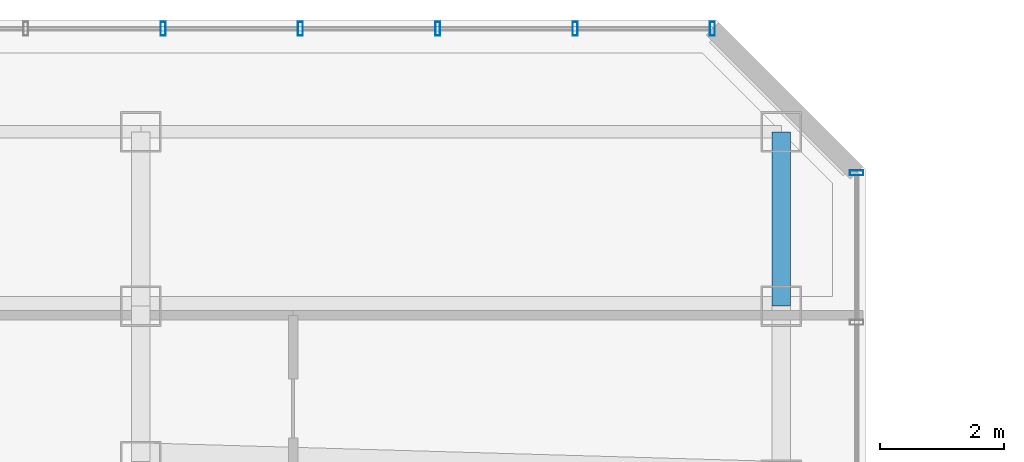
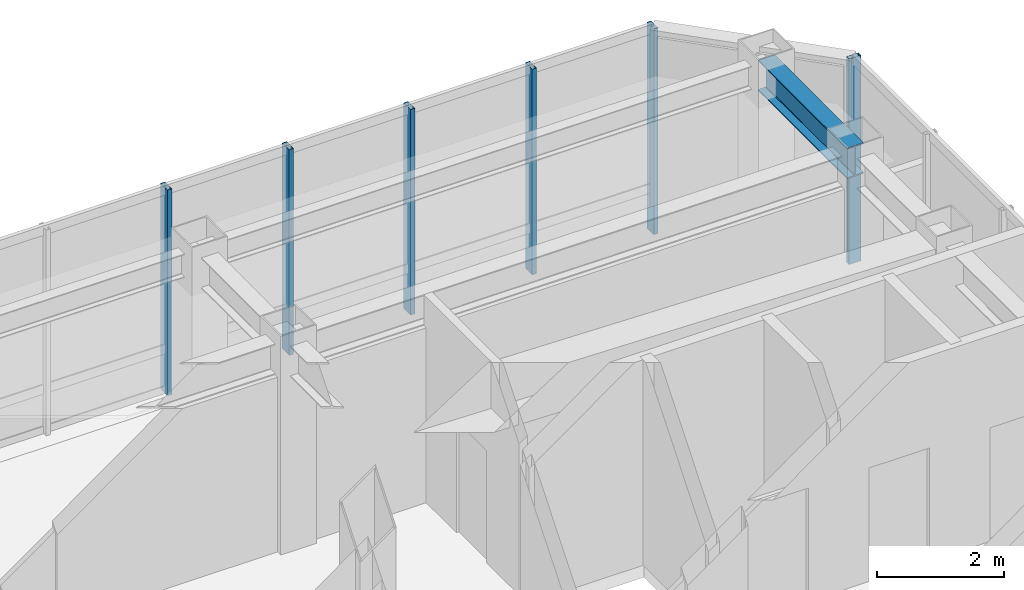
# One storey, part 15 of 22: 6 members, 1 beam, 2 elements without a shape of their own.
"""IFC4 building model written with IfcOpenShell, lengths in metres."""

import ifcopenshell
import ifcopenshell.guid

model = None  # the IFC model being written
_history = None  # IfcOwnerHistory: only IFC2X3 demands one
_inside = {}  # id of a spatial element -> (the spatial element, [elements in it])
_under = {}  # id of a project, library or spatial element -> (it, [spatial elements below it])
_declared = {}  # id of a project -> (the project, [libraries it declares])
_typed = {}  # id of a type object -> (the type object, [elements of that type])
_made_of = {}  # id of a material, layer set ... -> (it, [elements and type objects made of it])


def new_model(schema):
    """Start an empty IFC model of exactly this schema.

    Asked for "IFC4X3", IfcOpenShell would pick the latest addendum, in which some entities
    have other attributes; the version numbers below select the first issue.
    IFC2X3 requires an IfcOwnerHistory on every rooted entity: one is made here for all.
    """
    global model, _history
    if schema == "IFC4X3":
        model = ifcopenshell.file(schema_version=(4, 3, 0, 0))
    else:
        model = ifcopenshell.file(schema=schema)
    _inside.clear()
    _under.clear()
    _declared.clear()
    _typed.clear()
    _made_of.clear()
    _history = None
    if model.schema == "IFC2X3":
        org = make("IfcOrganization", Name="unknown")
        user = make(
            "IfcPersonAndOrganization",
            ThePerson=make("IfcPerson", FamilyName="unknown"),
            TheOrganization=org,
        )
        app = make(
            "IfcApplication",
            ApplicationDeveloper=org,
            Version="unknown",
            ApplicationFullName="unknown",
            ApplicationIdentifier="unknown",
        )
        _history = make(
            "IfcOwnerHistory",
            OwningUser=user,
            OwningApplication=app,
            ChangeAction="ADDED",
            CreationDate=0,
        )
    return model


def make(cls, **values):
    """One entity of the class cls with the attributes given. An attribute that is None is left unset."""
    return model.create_entity(
        cls, **{name: value for name, value in values.items() if value is not None}
    )


def rooted(cls, **values):
    """An entity with a GlobalId (a new one), such as an element, a storey or a relation."""
    return make(cls, GlobalId=ifcopenshell.guid.new(), OwnerHistory=_history, **values)


def si_unit(unit_type, name, prefix=None):
    """IfcSIUnit, for example si_unit("LENGTHUNIT", "METRE", prefix="MILLI")."""
    return make("IfcSIUnit", UnitType=unit_type, Prefix=prefix, Name=name)


def assignment(units):
    """IfcUnitAssignment: the units of a project."""
    return None if units is None else make("IfcUnitAssignment", Units=units)


def point(xyz):
    """IfcCartesianPoint."""
    return None if xyz is None else make("IfcCartesianPoint", Coordinates=xyz)


def direction(xyz):
    """IfcDirection."""
    return None if xyz is None else make("IfcDirection", DirectionRatios=xyz)


def frame(location, z_axis=None, x_axis=None):
    """IfcAxis2Placement3D, a coordinate frame: its origin and axes. An axis left out is left unset."""
    return make(
        "IfcAxis2Placement3D",
        Location=point(location),
        Axis=direction(z_axis),
        RefDirection=direction(x_axis),
    )


def frame_2d(location, x_axis=None):
    """IfcAxis2Placement2D, a coordinate frame in the plane: its origin and x axis."""
    return make(
        "IfcAxis2Placement2D", Location=point(location), RefDirection=direction(x_axis)
    )


def origin():
    """The frame at (0, 0, 0) with its axes left unset."""
    return frame((0.0, 0.0, 0.0))


def origin_2d():
    """The frame at (0, 0) in the plane with its x axis left unset."""
    return frame_2d((0.0, 0.0))


def place(relative_to, where):
    """IfcLocalPlacement: puts the frame where relative to a parent placement (None: the world)."""
    return make(
        "IfcLocalPlacement", PlacementRelTo=relative_to, RelativePlacement=where
    )


def context(
    kind, dimensions, precision=None, world=None, true_north=None, identifier=None
):
    """IfcGeometricRepresentationContext, for example the 3D "Model" context."""
    return make(
        "IfcGeometricRepresentationContext",
        ContextIdentifier=identifier,
        ContextType=kind,
        CoordinateSpaceDimension=dimensions,
        Precision=precision,
        WorldCoordinateSystem=world,
        TrueNorth=true_north,
    )


def subcontext(parent, identifier, kind, view, scale=None):
    """IfcGeometricRepresentationSubContext, for example "Body" below "Model"."""
    return make(
        "IfcGeometricRepresentationSubContext",
        ContextIdentifier=identifier,
        ContextType=kind,
        ParentContext=parent,
        TargetScale=scale,
        TargetView=view,
    )


def project(units=None, contexts=None):
    """IfcProject with its units and contexts."""
    return rooted(
        "IfcProject",
        Name="project",
        RepresentationContexts=contexts,
        UnitsInContext=assignment(units),
    )


def spatial(cls, under=None, at=None, **own):
    """A site, building, storey or space (cls), placed at a placement, below another one or the project."""
    s = rooted(cls, ObjectPlacement=at, **own)
    if under is not None:
        _under.setdefault(under.id(), (under, []))[1].append(s)
    return s


def profile(cls, at=None, kind="AREA", **sizes):
    """A parametric profile (cls). Its sizes go by their IFC names, for example OverallWidth=200.0."""
    return make(cls, ProfileType=kind, Position=at, **sizes)


def hollow_rectangle(**sizes):
    """IfcRectangleHollowProfileDef."""
    return profile("IfcRectangleHollowProfileDef", **sizes)


def i_section(**sizes):
    """IfcIShapeProfileDef."""
    return profile("IfcIShapeProfileDef", **sizes)


def extrude(swept, where, along, depth):
    """IfcExtrudedAreaSolid: the profile swept, set in the frame where, extruded along a direction by depth."""
    return make(
        "IfcExtrudedAreaSolid",
        SweptArea=swept,
        Position=where,
        ExtrudedDirection=direction(along),
        Depth=depth,
    )


def shape(context_of_items, identifier, shape_type, items):
    """IfcShapeRepresentation: the items that make up one representation, for example the "Body"."""
    return make(
        "IfcShapeRepresentation",
        ContextOfItems=context_of_items,
        RepresentationIdentifier=identifier,
        RepresentationType=shape_type,
        Items=items,
    )


def material(Name=None, Category=None):
    """IfcMaterial."""
    return make("IfcMaterial", Name=Name, Category=Category)


def layer(
    of_material, thickness, ventilated=None, Name=None, Category=None, Priority=None
):
    """IfcMaterialLayer: one layer of a wall or slab, of a material (None: an air gap)."""
    return make(
        "IfcMaterialLayer",
        Material=of_material,
        LayerThickness=thickness,
        IsVentilated=ventilated,
        Name=Name,
        Category=Category,
        Priority=Priority,
    )


def layer_set(layers, Name=None):
    """IfcMaterialLayerSet."""
    return make("IfcMaterialLayerSet", MaterialLayers=layers, LayerSetName=Name)


def material_profile(
    of_material, cross_section, Name=None, Category=None, Priority=None
):
    """IfcMaterialProfile: a cross section and its material."""
    return make(
        "IfcMaterialProfile",
        Name=Name,
        Material=of_material,
        Profile=cross_section,
        Priority=Priority,
        Category=Category,
    )


def profile_set(profiles, Name=None, composite=None):
    """IfcMaterialProfileSet."""
    return make(
        "IfcMaterialProfileSet",
        Name=Name,
        MaterialProfiles=profiles,
        CompositeProfile=composite,
    )


def made_of(thing, what):
    """Note that an element or type object is made of a material, layer set ...; save() writes the relation."""
    if what is not None:
        _made_of.setdefault(what.id(), (what, []))[1].append(thing)
    return thing


def type_object(cls, material=None, **own):
    """A type object (cls), such as IfcWallType, which elements share."""
    return made_of(rooted(cls, **own), material)


def element(
    cls,
    number,
    at=None,
    inside=None,
    cuts=None,
    type_object=None,
    material=None,
    context=None,
    identifier="Body",
    shape_type=None,
    held_by="IfcProductDefinitionShape",
    body=None,
    shapes=None,
    **own,
):
    """One element of the class cls, such as IfcWall. Its Tag is "e" and its number.

    at: its placement. inside: the storey or other place that contains it. cuts: it is an
    opening in that element (IfcRelVoidsElement). A single representation is given by context,
    identifier, shape_type and body (its items); several are given by shapes. held_by: the class
    of the entity that holds the representations. save() writes the other relations.
    """
    e = rooted(cls, Tag="e%d" % number, ObjectPlacement=at, **own)
    if body is not None:
        shapes = [shape(context, identifier, shape_type, body)]
    if shapes is not None:
        e.Representation = make(held_by, Representations=shapes)
    if inside is not None:
        _inside.setdefault(inside.id(), (inside, []))[1].append(e)
    if cuts is not None:
        rooted(
            "IfcRelVoidsElement", RelatingBuildingElement=cuts, RelatedOpeningElement=e
        )
    if type_object is not None:
        _typed.setdefault(type_object.id(), (type_object, []))[1].append(e)
    return made_of(e, material)


def aggregate(whole, parts):
    """IfcRelAggregates: a whole, such as a stair, and the parts it consists of."""
    return rooted("IfcRelAggregates", RelatingObject=whole, RelatedObjects=parts)


def save(model, path):
    """Write the relations noted so far, then the file.

    IfcRelAggregates (storeys below a building ...), IfcRelContainedInSpatialStructure (elements
    in a storey), IfcRelDefinesByType, IfcRelAssociatesMaterial and IfcRelDeclares: one each for
    every whole, place, type object, material and project.
    """
    for whole, parts in _under.values():
        aggregate(whole, parts)
    for where, things in _inside.values():
        rooted(
            "IfcRelContainedInSpatialStructure",
            RelatedElements=things,
            RelatingStructure=where,
        )
    for kind, things in _typed.values():
        rooted("IfcRelDefinesByType", RelatedObjects=things, RelatingType=kind)
    for what, things in _made_of.values():
        rooted("IfcRelAssociatesMaterial", RelatedObjects=things, RelatingMaterial=what)
    for by, libraries in _declared.values():
        rooted("IfcRelDeclares", RelatingContext=by, RelatedDefinitions=libraries)
    model.write(path)


model = new_model("IFC4")

# Units and contexts
model_context = context("Model", 3, precision=1e-05, world=origin(), true_north=direction((0.0, 1.0)))
body_context = subcontext(model_context, "Body", "Model", "MODEL_VIEW")
ifc_project = project(units=[si_unit("LENGTHUNIT", "METRE"), si_unit("AREAUNIT", "SQUARE_METRE"), si_unit("VOLUMEUNIT", "CUBIC_METRE"), si_unit("PLANEANGLEUNIT", "RADIAN"), si_unit("MASSUNIT", "GRAM", prefix="KILO")], contexts=[model_context])

# Site, building, storey
site_placement = place(None, origin())
site = spatial("IfcSite", under=ifc_project, at=site_placement, CompositionType="ELEMENT")
building_placement = place(site_placement, origin())
building = spatial("IfcBuilding", under=site, at=building_placement, Name="Hatsunagi Terrace Concourse", CompositionType="ELEMENT")
storey_placement = place(building_placement, frame((0.0, 0.0, 257.550048828125)))
storey = spatial("IfcBuildingStorey", under=building, at=storey_placement, Name="L68", CompositionType="ELEMENT", Elevation=257.550048828125)

# Curtain wall, members
ifc_material_1 = material(Name="Anodised Aluminium Alloy 6063-T5", Category="aluminium")
ifc_layer = layer(ifc_material_1, 0.199951171875)
ifc_layer_set = layer_set([ifc_layer], Name="SkyLobbyAtrium_CW05")
curtain_wall_type = type_object("IfcCurtainWallType", Name="SkyLobbyAtrium_CW05", PredefinedType="NOTDEFINED", material=ifc_layer_set)
curtain_wall_1_placement = place(storey_placement, origin())
curtain_wall_1 = element("IfcCurtainWall", 1, at=curtain_wall_1_placement, inside=storey, type_object=curtain_wall_type, Name="Unitised Curtain Wall CW-05 CW-L68-03", PredefinedType="NOTDEFINED")
ifc_material_2 = material(Name="Anodised Aluminium Alloy 6063-T5", Category="aluminium")
ifc_material_profile_1 = material_profile(ifc_material_2, hollow_rectangle(XDim=0.080078125, YDim=0.219970703125, WallThickness=0.0048828125, at=origin_2d()), Name="ALU-MUL-220x80x5")
ifc_profile_set_1 = profile_set([ifc_material_profile_1], Name="Anodised Aluminium Alloy 6063-T5")
member_type = type_object("IfcMemberType", Name="CurtainWallMullion_Heavy_220x80", PredefinedType="MULLION", material=ifc_profile_set_1)
member_1_placement = place(storey_placement, frame((33.7080078125, 50.260009765625, 0.0), z_axis=(0.0, 0.0, 1.0), x_axis=(1.0, 0.0, 0.0)))
member_1 = element("IfcMember", 2, at=member_1_placement, type_object=member_type, Name="Curtain Wall Mullion MUL-01", PredefinedType="MULLION", context=body_context, shape_type="SweptSolid", body=[
    extrude(hollow_rectangle(XDim=0.080078125, YDim=0.219970703125, WallThickness=0.0048828125, at=origin_2d()), origin(), (0.0, 0.0, 1.0), 3.949951171875),
])
member_2_placement = place(storey_placement, frame((35.9169921875, 50.260009765625, 0.0), z_axis=(0.0, 0.0, 1.0), x_axis=(1.0, 0.0, 0.0)))
member_2 = element("IfcMember", 3, at=member_2_placement, type_object=member_type, Name="Curtain Wall Mullion MUL-01", PredefinedType="MULLION", context=body_context, shape_type="SweptSolid", body=[
    extrude(hollow_rectangle(XDim=0.080078125, YDim=0.219970703125, WallThickness=0.0048828125, at=origin_2d()), origin(), (0.0, 0.0, 1.0), 3.949951171875),
])
member_3_placement = place(storey_placement, frame((38.125, 50.260009765625, 0.0), z_axis=(0.0, 0.0, 1.0), x_axis=(1.0, 0.0, 0.0)))
member_3 = element("IfcMember", 4, at=member_3_placement, type_object=member_type, Name="Curtain Wall Mullion MUL-01", PredefinedType="MULLION", context=body_context, shape_type="SweptSolid", body=[
    extrude(hollow_rectangle(XDim=0.080078125, YDim=0.219970703125, WallThickness=0.0048828125, at=origin_2d()), origin(), (0.0, 0.0, 1.0), 3.949951171875),
])
member_4_placement = place(storey_placement, frame((40.333984375, 50.260009765625, 0.0), z_axis=(0.0, 0.0, 1.0), x_axis=(1.0, 0.0, 0.0)))
member_4 = element("IfcMember", 5, at=member_4_placement, type_object=member_type, Name="Curtain Wall Mullion MUL-01", PredefinedType="MULLION", context=body_context, shape_type="SweptSolid", body=[
    extrude(hollow_rectangle(XDim=0.080078125, YDim=0.219970703125, WallThickness=0.0048828125, at=origin_2d()), origin(), (0.0, 0.0, 1.0), 3.949951171875),
])
member_5_placement = place(storey_placement, frame((42.5419921875, 50.260009765625, 0.0), z_axis=(0.0, 0.0, 1.0), x_axis=(1.0, 0.0, 0.0)))
member_5 = element("IfcMember", 6, at=member_5_placement, type_object=member_type, Name="Curtain Wall Mullion MUL-01", PredefinedType="MULLION", context=body_context, shape_type="SweptSolid", body=[
    extrude(hollow_rectangle(XDim=0.080078125, YDim=0.219970703125, WallThickness=0.0048828125, at=origin_2d()), origin(), (0.0, 0.0, 1.0), 3.949951171875),
])
aggregate(curtain_wall_1, [member_1, member_2, member_3, member_4, member_5])

# Curtain wall, member
curtain_wall_2_placement = place(storey_placement, origin())
curtain_wall_2 = element("IfcCurtainWall", 7, at=curtain_wall_2_placement, inside=storey, type_object=curtain_wall_type, Name="Unitised Curtain Wall CW-05 CW-L68-05", PredefinedType="NOTDEFINED")
member_6_placement = place(storey_placement, frame((44.860107421875, 47.94189453125, 0.0), z_axis=(0.0, 0.0, 1.0), x_axis=(0.0, -1.0, 0.0)))
member_6 = element("IfcMember", 8, at=member_6_placement, type_object=member_type, Name="Curtain Wall Mullion MUL-01", PredefinedType="MULLION", context=body_context, shape_type="SweptSolid", body=[
    extrude(hollow_rectangle(XDim=0.080078125, YDim=0.219970703125, WallThickness=0.0048828125, at=origin_2d()), origin(), (0.0, 0.0, 1.0), 3.949951171875),
])
aggregate(curtain_wall_2, [member_6])

# Beam
ifc_material_3 = material(Name="Steel SN490B", Category="steel")
ifc_material_profile_2 = material_profile(ifc_material_3, i_section(OverallWidth=0.300048828125, OverallDepth=0.587890625, WebThickness=0.011962890625, FlangeThickness=0.02001953125, FilletRadius=0.01806640625, at=origin_2d()), Name="H-588x300x12x20")
ifc_profile_set_2 = profile_set([ifc_material_profile_2], Name="Steel SN490B")
beam_type = type_object("IfcBeamType", Name="OfficeHighGirder_H_588x300", PredefinedType="BEAM", material=ifc_profile_set_2)
beam_placement = place(storey_placement, frame((43.64990234375, 45.800048828125, 3.656005859375), z_axis=(0.0, 1.0, 0.0), x_axis=(-1.0, 0.0, 0.0)))
element("IfcBeam", 9, at=beam_placement, inside=storey, type_object=beam_type, Name="Beam G-06 BM-L68-KN-WN6", PredefinedType="BEAM", context=body_context, shape_type="SweptSolid", body=[
    extrude(i_section(OverallWidth=0.300048828125, OverallDepth=0.587890625, WebThickness=0.011962890625, FlangeThickness=0.02001953125, FilletRadius=0.01806640625, at=origin_2d()), origin(), (0.0, 0.0, 1.0), 2.800048828125),
])

save(model, "model.ifc")
